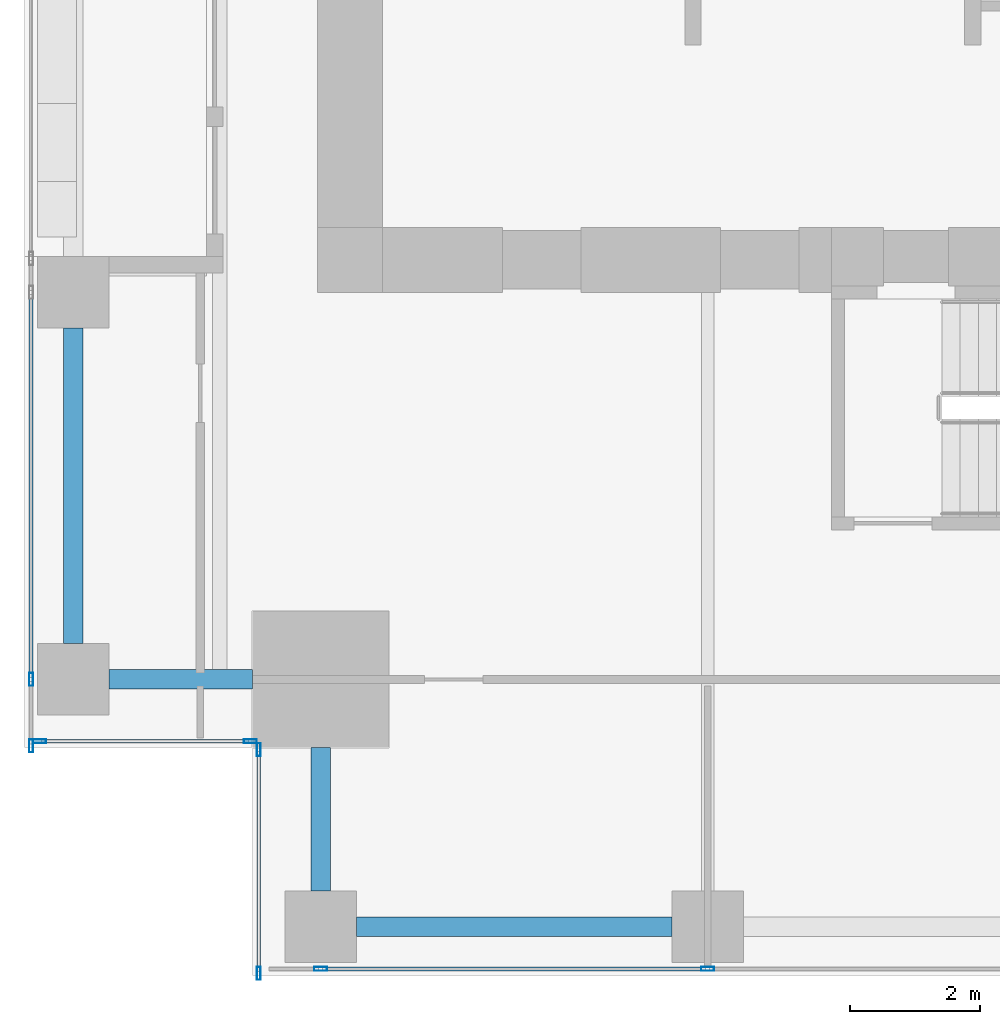
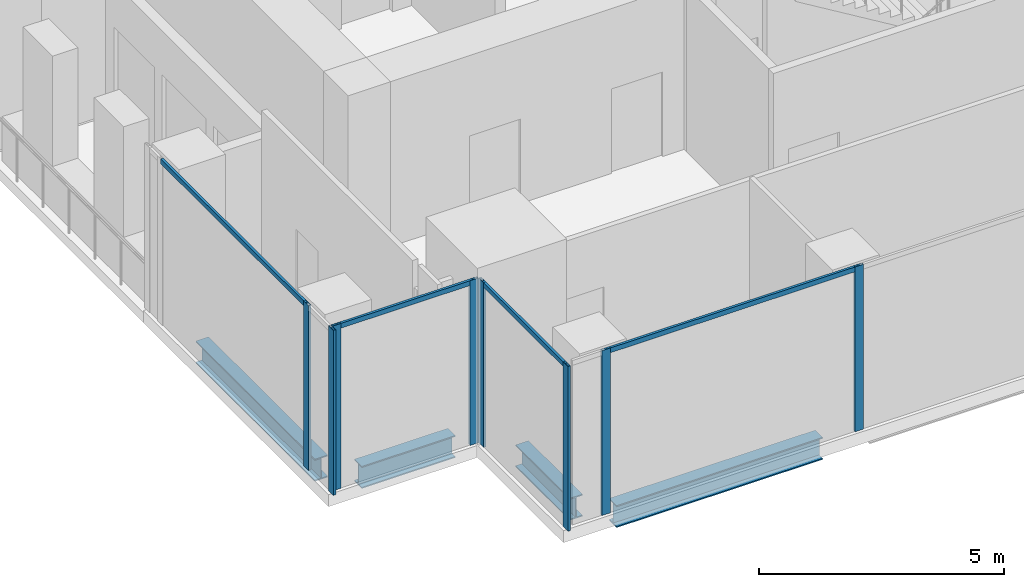
# One storey, part 2 of 33: 12 members, 4 beams, 4 elements without a shape of their own.
"""IFC4 building model written with IfcOpenShell, lengths in metres."""

from ifc_helpers import new_model, si_unit, direction, frame, origin, origin_2d, place, context, subcontext, project, spatial, hollow_rectangle, i_section, extrude, source, transform, mapped, material, material_profile, profile_set, type_object, element, aggregate, save


model = new_model("IFC4")

# Units and contexts
model_context = context("Model", 3, precision=1e-05, world=origin(), true_north=direction((0.0, 1.0)))
body_context = subcontext(model_context, "Body", "Model", "MODEL_VIEW")
ifc_project = project(units=[si_unit("LENGTHUNIT", "METRE"), si_unit("AREAUNIT", "SQUARE_METRE"), si_unit("VOLUMEUNIT", "CUBIC_METRE"), si_unit("PLANEANGLEUNIT", "RADIAN"), si_unit("MASSUNIT", "GRAM", prefix="KILO")], contexts=[model_context])

# Site, building, storey
site_placement = place(None, origin())
site = spatial("IfcSite", under=ifc_project, at=site_placement, CompositionType="ELEMENT")
building_placement = place(site_placement, origin())
building = spatial("IfcBuilding", under=site, at=building_placement, Name="Khomas Fold Tower", CompositionType="ELEMENT")
storey_placement = place(building_placement, frame((0.0, 0.0, 149.89990234375)))
storey = spatial("IfcBuildingStorey", under=building, at=storey_placement, Name="L32", CompositionType="ELEMENT", Elevation=149.89990234375)

# Beams
ifc_material_1 = material(Name="Steel S355", Category="steel")
ifc_material_profile_1 = material_profile(ifc_material_1, i_section(OverallWidth=0.300048828125, OverallDepth=0.550048828125, WebThickness=0.014892578125, FlangeThickness=0.029052734375, at=origin_2d()), Name="HE 550 B")
ifc_profile_set_1 = profile_set([ifc_material_profile_1], Name="Steel S355")
beam_type = type_object("IfcBeamType", Name="HE 550 B spandrel SB2", PredefinedType="SPANDREL", material=ifc_profile_set_1)
shared_shape_1 = source(origin(), body_context, "Body", "SweptSolid", [
    extrude(i_section(OverallWidth=0.300048828125, OverallDepth=0.550048828125, WebThickness=0.014892578125, FlangeThickness=0.029052734375, at=origin_2d()), origin(), (0.0, 0.0, 1.0), 4.849853515625),
])
for number, where, z_axis, x_axis, name in (
    (1, (6.60009765625, 2.25, -0.574951171875), (1.0, 0.0, 0.0), (0.0, 1.0, 0.0), "SB2"),
    (2, (2.25, 6.60009765625, -0.574951171875), (0.0, 1.0, 0.0), (-1.0, 0.0, 0.0), "SB2"),
):
    element("IfcBeam", number, at=place(storey_placement, frame(where, z_axis=z_axis, x_axis=x_axis)), inside=storey, type_object=beam_type, Name=name, PredefinedType="SPANDREL", context=body_context, shape_type="MappedRepresentation", body=[
        mapped(shared_shape_1, transform((0.0, 0.0, 0.0))),
    ])
shared_shape_2 = source(origin(), body_context, "Body", "SweptSolid", [
    extrude(i_section(OverallWidth=0.300048828125, OverallDepth=0.550048828125, WebThickness=0.014892578125, FlangeThickness=0.029052734375, at=origin_2d()), origin(), (0.0, 0.0, 1.0), 2.199951171875),
])
for number, where, z_axis, x_axis, name in (
    (3, (2.800048828125, 6.050048828125, -0.574951171875), (1.0, 0.0, 0.0), (0.0, 1.0, 0.0), "SB2"),
    (4, (6.050048828125, 2.800048828125, -0.574951171875), (0.0, 1.0, 0.0), (-1.0, 0.0, 0.0), "SB2"),
):
    element("IfcBeam", number, at=place(storey_placement, frame(where, z_axis=z_axis, x_axis=x_axis)), inside=storey, type_object=beam_type, Name=name, PredefinedType="SPANDREL", context=body_context, shape_type="MappedRepresentation", body=[
        mapped(shared_shape_2, transform((0.0, 0.0, 0.0))),
    ])

# Curtain wall, members
ifc_material_2 = material(Name="Aluminium framed double glazing", Category="aluminium")
curtain_wall_type = type_object("IfcCurtainWallType", Name="SK-Unitised clear-glass wall, growing floors CW1", PredefinedType="NOTDEFINED", material=ifc_material_2)
curtain_wall_1_placement = place(storey_placement, origin())
curtain_wall_1 = element("IfcCurtainWall", 5, at=curtain_wall_1_placement, inside=storey, type_object=curtain_wall_type, Name="CW1 run L32 00-0", PredefinedType="NOTDEFINED")
ifc_material_3 = material(Name="Aluminium", Category="aluminium")
ifc_material_profile_2 = material_profile(ifc_material_3, hollow_rectangle(XDim=0.06005859375, YDim=0.199951171875, WallThickness=0.00390625, at=origin_2d()), Name="SK-Unitised clear-glass wall, growing floors mullion CW1-M")
ifc_profile_set_2 = profile_set([ifc_material_profile_2], Name="Aluminium")
member_type_1 = type_object("IfcMemberType", Name="SK-Unitised clear-glass wall, growing floors mullion CW1-M", PredefinedType="MULLION", material=ifc_profile_set_2)
shared_shape_3 = source(origin(), body_context, "Body", "SweptSolid", [
    extrude(hollow_rectangle(XDim=0.06005859375, YDim=0.199951171875, WallThickness=0.00390625, at=origin_2d()), origin(), (0.0, 0.0, 1.0), 4.10009765625),
])
member_1_placement = place(storey_placement, frame((6.050048828125, 1.60009765625, 0.0), z_axis=(0.0, 0.0, 1.0), x_axis=(0.0, 1.0, 0.0)))
member_1 = element("IfcMember", 6, at=member_1_placement, type_object=member_type_1, Name="CW1 mullion 2", PredefinedType="MULLION", context=body_context, shape_type="MappedRepresentation", body=[
    mapped(shared_shape_3, transform((0.0, 0.0, 0.0))),
])
member_2_placement = place(storey_placement, frame((12.0, 1.60009765625, 0.0), z_axis=(0.0, 0.0, 1.0), x_axis=(0.0, 1.0, 0.0)))
member_2 = element("IfcMember", 7, at=member_2_placement, type_object=member_type_1, Name="CW1 mullion 3", PredefinedType="MULLION", context=body_context, shape_type="MappedRepresentation", body=[
    mapped(shared_shape_3, transform((0.0, 0.0, 0.0))),
])

curtain_wall_2_placement = place(storey_placement, origin())
curtain_wall_2 = element("IfcCurtainWall", 8, at=curtain_wall_2_placement, inside=storey, type_object=curtain_wall_type, Name="CW1 run L32 09-1", PredefinedType="NOTDEFINED")
member_3_placement = place(storey_placement, frame((1.60009765625, 6.050048828125, 0.0), z_axis=(0.0, 0.0, 1.0), x_axis=(1.0, 0.0, 0.0)))
member_3 = element("IfcMember", 9, at=member_3_placement, type_object=member_type_1, Name="CW1 mullion 3", PredefinedType="MULLION", context=body_context, shape_type="MappedRepresentation", body=[
    mapped(shared_shape_3, transform((0.0, 0.0, 0.0))),
])
member_4_placement = place(storey_placement, frame((1.60009765625, 5.030029296875, 0.0), z_axis=(0.0, 0.0, 1.0), x_axis=(1.0, 0.0, 0.0)))
member_4 = element("IfcMember", 10, at=member_4_placement, type_object=member_type_1, Name="CW1 mullion 4", PredefinedType="MULLION", context=body_context, shape_type="MappedRepresentation", body=[
    mapped(shared_shape_3, transform((0.0, 0.0, 0.0))),
])

curtain_wall_3_placement = place(storey_placement, origin())
curtain_wall_3 = element("IfcCurtainWall", 11, at=curtain_wall_3_placement, inside=storey, type_object=curtain_wall_type, Name="CW1 corner return L32 10", PredefinedType="NOTDEFINED")
member_5_placement = place(storey_placement, frame((1.72998046875, 5.10009765625, 0.0), z_axis=(0.0, 0.0, 1.0), x_axis=(0.0, 1.0, 0.0)))
member_5 = element("IfcMember", 12, at=member_5_placement, type_object=member_type_1, Name="CW1 mullion 1", PredefinedType="MULLION", context=body_context, shape_type="MappedRepresentation", body=[
    mapped(shared_shape_3, transform((0.0, 0.0, 0.0))),
])
member_6_placement = place(storey_placement, frame((4.969970703125, 5.10009765625, 0.0), z_axis=(0.0, 0.0, 1.0), x_axis=(0.0, 1.0, 0.0)))
member_6 = element("IfcMember", 13, at=member_6_placement, type_object=member_type_1, Name="CW1 mullion 2", PredefinedType="MULLION", context=body_context, shape_type="MappedRepresentation", body=[
    mapped(shared_shape_3, transform((0.0, 0.0, 0.0))),
])

curtain_wall_4_placement = place(storey_placement, origin())
curtain_wall_4 = element("IfcCurtainWall", 14, at=curtain_wall_4_placement, inside=storey, type_object=curtain_wall_type, Name="CW1 corner return L32 11", PredefinedType="NOTDEFINED")
member_7_placement = place(storey_placement, frame((5.10009765625, 4.969970703125, 0.0), z_axis=(0.0, 0.0, 1.0), x_axis=(1.0, 0.0, 0.0)))
member_7 = element("IfcMember", 15, at=member_7_placement, type_object=member_type_1, Name="CW1 mullion 1", PredefinedType="MULLION", context=body_context, shape_type="MappedRepresentation", body=[
    mapped(shared_shape_3, transform((0.0, 0.0, 0.0))),
])
member_8_placement = place(storey_placement, frame((5.10009765625, 1.530029296875, 0.0), z_axis=(0.0, 0.0, 1.0), x_axis=(1.0, 0.0, 0.0)))
member_8 = element("IfcMember", 16, at=member_8_placement, type_object=member_type_1, Name="CW1 mullion 2", PredefinedType="MULLION", context=body_context, shape_type="MappedRepresentation", body=[
    mapped(shared_shape_3, transform((0.0, 0.0, 0.0))),
])

# Member
ifc_material_4 = material(Name="Aluminium", Category="aluminium")
ifc_material_profile_3 = material_profile(ifc_material_4, hollow_rectangle(XDim=0.06005859375, YDim=0.1201171875, WallThickness=0.00390625, at=origin_2d()), Name="SK-Unitised clear-glass wall, growing floors transom CW1-T")
ifc_profile_set_3 = profile_set([ifc_material_profile_3], Name="Aluminium")
member_type_2 = type_object("IfcMemberType", Name="SK-Unitised clear-glass wall, growing floors transom CW1-T", PredefinedType="USERDEFINED", material=ifc_profile_set_3)
shared_shape_4 = source(origin(), body_context, "Body", "SweptSolid", [
    extrude(hollow_rectangle(XDim=0.06005859375, YDim=0.1201171875, WallThickness=0.00390625, at=origin_2d()), origin(), (0.0, 0.0, 1.0), 5.889892578125),
])
member_9_placement = place(storey_placement, frame((6.080078125, 1.60009765625, 4.0400390625), z_axis=(1.0, 0.0, 0.0), x_axis=(0.0, 1.0, 0.0)))
member_9 = element("IfcMember", 17, at=member_9_placement, type_object=member_type_2, Name="CW1 transom 2", ObjectType="TRANSOM", PredefinedType="USERDEFINED", context=body_context, shape_type="MappedRepresentation", body=[
    mapped(shared_shape_4, transform((0.0, 0.0, 0.0))),
])

aggregate(curtain_wall_1, [member_1, member_2, member_9])

member_10_placement = place(storey_placement, frame((1.60009765625, 11.969970703125, 4.0400390625), z_axis=(0.0, -1.0, 0.0), x_axis=(1.0, 0.0, 0.0)))
member_10 = element("IfcMember", 18, at=member_10_placement, type_object=member_type_2, Name="CW1 transom 2", ObjectType="TRANSOM", PredefinedType="USERDEFINED", context=body_context, shape_type="MappedRepresentation", body=[
    mapped(shared_shape_4, transform((0.0, 0.0, 0.0))),
])

aggregate(curtain_wall_2, [member_3, member_4, member_10])

shared_shape_5 = source(origin(), body_context, "Body", "SweptSolid", [
    extrude(hollow_rectangle(XDim=0.06005859375, YDim=0.1201171875, WallThickness=0.00390625, at=origin_2d()), origin(), (0.0, 0.0, 1.0), 3.179931640625),
])
member_11_placement = place(storey_placement, frame((1.760009765625, 5.10009765625, 4.0400390625), z_axis=(1.0, 0.0, 0.0), x_axis=(0.0, 1.0, 0.0)))
member_11 = element("IfcMember", 19, at=member_11_placement, type_object=member_type_2, Name="CW1 transom 1", ObjectType="TRANSOM", PredefinedType="USERDEFINED", context=body_context, shape_type="MappedRepresentation", body=[
    mapped(shared_shape_5, transform((0.0, 0.0, 0.0))),
])

aggregate(curtain_wall_3, [member_5, member_6, member_11])

shared_shape_6 = source(origin(), body_context, "Body", "SweptSolid", [
    extrude(hollow_rectangle(XDim=0.06005859375, YDim=0.1201171875, WallThickness=0.00390625, at=origin_2d()), origin(), (0.0, 0.0, 1.0), 3.3798828125),
])
member_12_placement = place(storey_placement, frame((5.10009765625, 4.93994140625, 4.0400390625), z_axis=(0.0, -1.0, 0.0), x_axis=(1.0, 0.0, 0.0)))
member_12 = element("IfcMember", 20, at=member_12_placement, type_object=member_type_2, Name="CW1 transom 1", ObjectType="TRANSOM", PredefinedType="USERDEFINED", context=body_context, shape_type="MappedRepresentation", body=[
    mapped(shared_shape_6, transform((0.0, 0.0, 0.0))),
])

aggregate(curtain_wall_4, [member_7, member_8, member_12])

save(model, "model.ifc")
